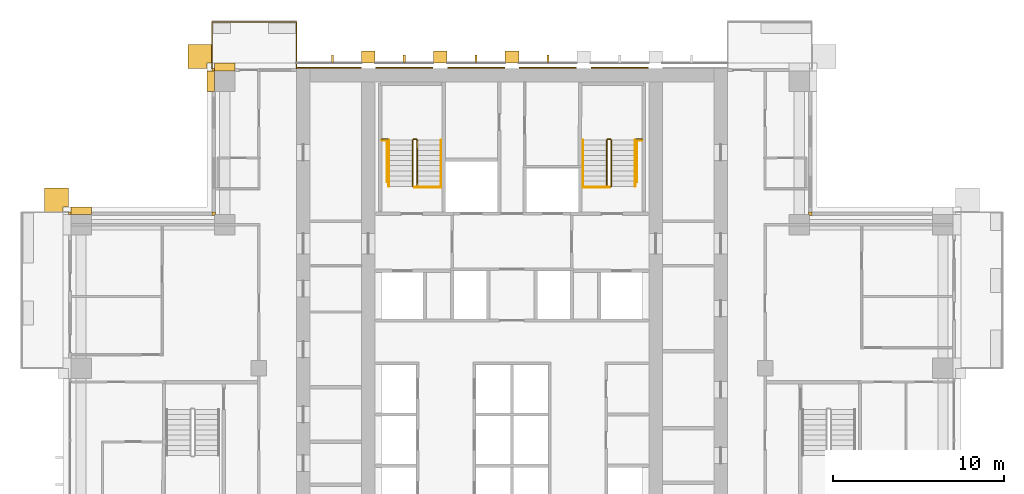
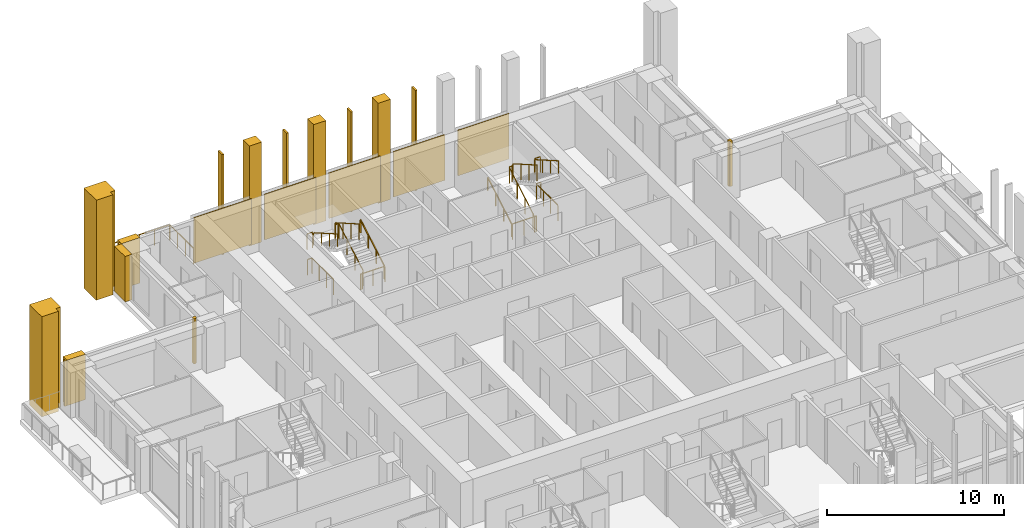
# One storey, part 16 of 17: 21 coverings, 13 railings.
"""IFC4 building model written with IfcOpenShell, lengths in metres."""

from ifc_helpers import new_model, si_unit, direction, frame, origin, origin_2d, place, context, subcontext, project, spatial, polyline, rectangle, outline, extrude, material, layer, layer_set, type_object, element, save


model = new_model("IFC4")

# Units and contexts
model_context = context("Model", 3, precision=1e-05, world=origin(), true_north=direction((0.0, 1.0)))
body_context = subcontext(model_context, "Body", "Model", "MODEL_VIEW")
ifc_project = project(units=[si_unit("LENGTHUNIT", "METRE"), si_unit("AREAUNIT", "SQUARE_METRE"), si_unit("VOLUMEUNIT", "CUBIC_METRE"), si_unit("PLANEANGLEUNIT", "RADIAN"), si_unit("MASSUNIT", "GRAM", prefix="KILO")], contexts=[model_context])

# Site, building, storey
site_placement = place(None, origin())
site = spatial("IfcSite", under=ifc_project, at=site_placement, CompositionType="ELEMENT")
building_placement = place(site_placement, origin())
building = spatial("IfcBuilding", under=site, at=building_placement, Name="Vermilion Ogive Tower", CompositionType="ELEMENT")
storey_placement = place(building_placement, frame((0.0, 0.0, 111.449951171875)))
storey = spatial("IfcBuildingStorey", under=building, at=storey_placement, Name="L28", CompositionType="ELEMENT", Elevation=111.449951171875)

# Railing
ifc_material_1 = material(Name="Stainless steel and glass", Category="steel")
railing_type_1 = type_object("IfcRailingType", Name="Balcony guard", PredefinedType="GUARDRAIL", material=ifc_material_1)
railing_1_placement = place(storey_placement, frame((-12.60009765625, 21.75, -0.0400390625)))
element("IfcRailing", 1, at=railing_1_placement, inside=storey, type_object=railing_type_1, Name="Guard N201", PredefinedType="GUARDRAIL", context=body_context, shape_type="SweptSolid", body=[
    extrude(rectangle(XDim=0.048095703125, YDim=0.048095703125, at=origin_2d()), frame((0.0, 0.0, 1.076171875), z_axis=(0.0, 1.0, 0.0), x_axis=(-1.0, 0.0, 0.0)), (0.0, 0.0, 1.0), 2.7041015625),
    extrude(rectangle(XDim=0.048095703125, YDim=0.048095703125, at=origin_2d()), frame((0.0, 2.7041015625, 1.076171875), z_axis=(-1.0, 0.0, 0.0), x_axis=(0.0, -1.0, 0.0)), (0.0, 0.0, 1.0), 4.949951171875),
    extrude(rectangle(XDim=0.048095703125, YDim=0.048095703125, at=origin_2d()), frame((-4.949951171875, 2.7041015625, 1.076171875), z_axis=(0.0, -1.0, 0.0), x_axis=(1.0, 0.0, 0.0)), (0.0, 0.0, 1.0), 2.7041015625),
    extrude(rectangle(XDim=0.0419921875, YDim=0.0419921875, at=origin_2d()), origin(), (0.0, 0.0, 1.0), 1.052001953125),
    extrude(rectangle(XDim=0.0419921875, YDim=0.0419921875, at=origin_2d()), frame((0.0, 0.9013671875, 0.0)), (0.0, 0.0, 1.0), 1.052001953125),
    extrude(rectangle(XDim=0.0419921875, YDim=0.0419921875, at=origin_2d()), frame((0.0, 1.802734375, 0.0)), (0.0, 0.0, 1.0), 1.052001953125),
    extrude(rectangle(XDim=0.0419921875, YDim=0.0419921875, at=origin_2d()), frame((0.0, 2.7041015625, 0.0)), (0.0, 0.0, 1.0), 1.052001953125),
    extrude(rectangle(XDim=0.0419921875, YDim=0.0419921875, at=origin_2d()), frame((-0.989990234375, 2.7041015625, 0.0)), (0.0, 0.0, 1.0), 1.052001953125),
    extrude(rectangle(XDim=0.0419921875, YDim=0.0419921875, at=origin_2d()), frame((-1.97998046875, 2.7041015625, 0.0)), (0.0, 0.0, 1.0), 1.052001953125),
    extrude(rectangle(XDim=0.0419921875, YDim=0.0419921875, at=origin_2d()), frame((-2.969970703125, 2.7041015625, 0.0)), (0.0, 0.0, 1.0), 1.052001953125),
    extrude(rectangle(XDim=0.0419921875, YDim=0.0419921875, at=origin_2d()), frame((-3.9599609375, 2.7041015625, 0.0)), (0.0, 0.0, 1.0), 1.052001953125),
    extrude(rectangle(XDim=0.0419921875, YDim=0.0419921875, at=origin_2d()), frame((-4.949951171875, 2.7041015625, 0.0)), (0.0, 0.0, 1.0), 1.052001953125),
    extrude(rectangle(XDim=0.0419921875, YDim=0.0419921875, at=origin_2d()), frame((-4.949951171875, 1.802734375, 0.0)), (0.0, 0.0, 1.0), 1.052001953125),
    extrude(rectangle(XDim=0.0419921875, YDim=0.0419921875, at=origin_2d()), frame((-4.949951171875, 0.9013671875, 0.0)), (0.0, 0.0, 1.0), 1.052001953125),
    extrude(rectangle(XDim=0.0419921875, YDim=0.0419921875, at=origin_2d()), frame((-4.949951171875, 0.0, 0.0)), (0.0, 0.0, 1.0), 1.052001953125),
])

# Coverings
ifc_material_2 = material(Name="Glazed ceramic screen")
ifc_layer = layer(ifc_material_2, 0.14990234375)
ifc_layer_set = layer_set([ifc_layer], Name="Ceramic solar screen fin")
covering_type_1 = type_object("IfcCoveringType", Name="Ceramic solar screen fin", PredefinedType="CLADDING", material=ifc_layer_set)
covering_1_placement = place(storey_placement, frame((0.0, 0.0, -0.320068359375)))
element("IfcCovering", 2, at=covering_1_placement, inside=storey, type_object=covering_type_1, Name="Solar screen blade N1", PredefinedType="CLADDING", context=body_context, shape_type="SweptSolid", body=[
    extrude(outline(polyline([(-10.56005859375, 22.08203125), (-10.43994140625, 22.08203125), (-10.43994140625, 22.531982421875), (-10.56005859375, 22.531982421875), (-10.56005859375, 22.08203125)])), origin(), (0.0, 0.0, 1.0), 6.900146484375),
])
covering_2_placement = place(storey_placement, frame((0.0, 0.0, -0.320068359375)))
element("IfcCovering", 3, at=covering_2_placement, inside=storey, type_object=covering_type_1, Name="Solar screen blade N2", PredefinedType="CLADDING", context=body_context, shape_type="SweptSolid", body=[
    extrude(outline(polyline([(-6.360107421875, 22.08203125), (-6.239990234375, 22.08203125), (-6.239990234375, 22.531982421875), (-6.360107421875, 22.531982421875), (-6.360107421875, 22.08203125)])), origin(), (0.0, 0.0, 1.0), 6.900146484375),
])
covering_3_placement = place(storey_placement, frame((0.0, 0.0, -0.320068359375)))
element("IfcCovering", 4, at=covering_3_placement, inside=storey, type_object=covering_type_1, Name="Solar screen blade N3", PredefinedType="CLADDING", context=body_context, shape_type="SweptSolid", body=[
    extrude(outline(polyline([(-2.159912109375, 22.08203125), (-2.0400390625, 22.08203125), (-2.0400390625, 22.531982421875), (-2.159912109375, 22.531982421875), (-2.159912109375, 22.08203125)])), origin(), (0.0, 0.0, 1.0), 6.900146484375),
])
covering_4_placement = place(storey_placement, frame((0.0, 0.0, -0.320068359375)))
element("IfcCovering", 5, at=covering_4_placement, inside=storey, type_object=covering_type_1, Name="Solar screen blade N4", PredefinedType="CLADDING", context=body_context, shape_type="SweptSolid", body=[
    extrude(outline(polyline([(2.0400390625, 22.08203125), (2.159912109375, 22.08203125), (2.159912109375, 22.531982421875), (2.0400390625, 22.531982421875), (2.0400390625, 22.08203125)])), origin(), (0.0, 0.0, 1.0), 6.900146484375),
])

# Railings
ifc_material_3 = material(Name="Steel S355 painted", Category="steel")
railing_type_2 = type_object("IfcRailingType", Name="Stair guard 1100", PredefinedType="GUARDRAIL", material=ifc_material_3)
railing_2_placement = place(storey_placement, frame((-5.75, 14.800048828125, 0.0)))
element("IfcRailing", 6, at=railing_2_placement, inside=storey, type_object=railing_type_2, Name="L28 ST1 stair guard 4", PredefinedType="GUARDRAIL", context=body_context, shape_type="SweptSolid", body=[
    extrude(rectangle(XDim=0.048095703125, YDim=0.048095703125, at=origin_2d()), frame((0.0, 0.0, 1.076171875), z_axis=(1.0, 0.0, 0.0), x_axis=(0.0, 1.0, 0.0)), (0.0, 0.0, 1.0), 0.14990234375),
    extrude(rectangle(XDim=0.048095703125, YDim=0.048095703125, at=origin_2d()), frame((0.14990234375, 0.0, 1.076171875), z_axis=(0.268277960024, 0.268277960024, 0.925231793839), x_axis=(-0.707106781187, 0.707106781187, 0.0)), (0.0, 0.0, 1.0), 0.1865234375),
    extrude(rectangle(XDim=0.048095703125, YDim=0.048095703125, at=origin_2d()), frame((0.199951171875, 0.050048828125, 1.24853515625), z_axis=(0.0, 0.866903762492, 0.498475542607), x_axis=(-1.0, 0.0, 0.0)), (0.0, 0.0, 1.0), 3.114501953125),
    extrude(rectangle(XDim=0.048095703125, YDim=0.048095703125, at=origin_2d()), frame((0.199951171875, 2.75, 2.80126953125), z_axis=(-0.707106781187, 0.707106781187, 0.0), x_axis=(-0.707106781187, -0.707106781187, 0.0)), (0.0, 0.0, 1.0), 0.07080078125),
    extrude(rectangle(XDim=0.048095703125, YDim=0.048095703125, at=origin_2d()), frame((0.14990234375, 2.800048828125, 2.80126953125), z_axis=(-1.0, 0.0, 0.0), x_axis=(0.0, -1.0, 0.0)), (0.0, 0.0, 1.0), 0.14990234375),
    extrude(rectangle(XDim=0.048095703125, YDim=0.048095703125, at=origin_2d()), frame((0.0, 2.800048828125, 2.80126953125), z_axis=(-0.268603158521, -0.268603158521, 0.925043072762), x_axis=(0.707106781187, -0.707106781187, 0.0)), (0.0, 0.0, 1.0), 0.186279296875),
    extrude(rectangle(XDim=0.048095703125, YDim=0.048095703125, at=origin_2d()), frame((-0.050048828125, 2.75, 2.9736328125), z_axis=(0.0, -0.866903762492, 0.498475542607), x_axis=(1.0, 0.0, 0.0)), (0.0, 0.0, 1.0), 3.114501953125),
    extrude(rectangle(XDim=0.0419921875, YDim=0.0419921875, at=origin_2d()), origin(), (0.0, 0.0, 1.0), 1.052001953125),
    extrude(rectangle(XDim=0.0419921875, YDim=0.0419921875, at=origin_2d()), frame((0.14990234375, 0.0, 0.0)), (0.0, 0.0, 1.0), 1.052001953125),
    extrude(rectangle(XDim=0.0419921875, YDim=0.0419921875, at=origin_2d()), frame((0.199951171875, 0.050048828125, 0.172607421875)), (0.0, 0.0, 1.0), 1.052001953125),
    extrude(rectangle(XDim=0.0419921875, YDim=0.0419921875, at=origin_2d()), frame((0.199951171875, 0.949951171875, 0.690185546875)), (0.0, 0.0, 1.0), 1.052001953125),
    extrude(rectangle(XDim=0.0419921875, YDim=0.0419921875, at=origin_2d()), frame((0.199951171875, 1.85009765625, 1.20751953125)), (0.0, 0.0, 1.0), 1.052001953125),
    extrude(rectangle(XDim=0.0419921875, YDim=0.0419921875, at=origin_2d()), frame((0.199951171875, 2.75, 1.72509765625)), (0.0, 0.0, 1.0), 1.052001953125),
    extrude(rectangle(XDim=0.0419921875, YDim=0.0419921875, at=origin_2d()), frame((0.14990234375, 2.800048828125, 1.72509765625)), (0.0, 0.0, 1.0), 1.052001953125),
    extrude(rectangle(XDim=0.0419921875, YDim=0.0419921875, at=origin_2d()), frame((0.0, 2.800048828125, 1.72509765625)), (0.0, 0.0, 1.0), 1.052001953125),
    extrude(rectangle(XDim=0.0419921875, YDim=0.0419921875, at=origin_2d()), frame((-0.050048828125, 2.75, 1.8974609375)), (0.0, 0.0, 1.0), 1.052001953125),
    extrude(rectangle(XDim=0.0419921875, YDim=0.0419921875, at=origin_2d()), frame((-0.050048828125, 1.85009765625, 2.4150390625)), (0.0, 0.0, 1.0), 1.052001953125),
    extrude(rectangle(XDim=0.0419921875, YDim=0.0419921875, at=origin_2d()), frame((-0.050048828125, 0.949951171875, 2.932373046875)), (0.0, 0.0, 1.0), 1.052001953125),
    extrude(rectangle(XDim=0.0419921875, YDim=0.0419921875, at=origin_2d()), frame((-0.050048828125, 0.050048828125, 3.449951171875)), (0.0, 0.0, 1.0), 1.052001953125),
])
railing_3_placement = place(storey_placement, frame((5.75, 14.800048828125, 0.0)))
element("IfcRailing", 7, at=railing_3_placement, inside=storey, type_object=railing_type_2, Name="L28 ST2 stair guard 4", PredefinedType="GUARDRAIL", context=body_context, shape_type="SweptSolid", body=[
    extrude(rectangle(XDim=0.048095703125, YDim=0.048095703125, at=origin_2d()), frame((0.0, 0.0, 1.076171875), z_axis=(-1.0, 0.0, 0.0), x_axis=(0.0, -1.0, 0.0)), (0.0, 0.0, 1.0), 0.14990234375),
    extrude(rectangle(XDim=0.048095703125, YDim=0.048095703125, at=origin_2d()), frame((-0.14990234375, 0.0, 1.076171875), z_axis=(-0.268277960024, 0.268277960024, 0.925231793839), x_axis=(-0.707106781187, -0.707106781187, 0.0)), (0.0, 0.0, 1.0), 0.1865234375),
    extrude(rectangle(XDim=0.048095703125, YDim=0.048095703125, at=origin_2d()), frame((-0.199951171875, 0.050048828125, 1.24853515625), z_axis=(0.0, 0.866903762492, 0.498475542607), x_axis=(-1.0, 0.0, 0.0)), (0.0, 0.0, 1.0), 3.114501953125),
    extrude(rectangle(XDim=0.048095703125, YDim=0.048095703125, at=origin_2d()), frame((-0.199951171875, 2.75, 2.80126953125), z_axis=(0.707106781187, 0.707106781187, 0.0), x_axis=(-0.707106781187, 0.707106781187, 0.0)), (0.0, 0.0, 1.0), 0.07080078125),
    extrude(rectangle(XDim=0.048095703125, YDim=0.048095703125, at=origin_2d()), frame((-0.14990234375, 2.800048828125, 2.80126953125), z_axis=(1.0, 0.0, 0.0), x_axis=(0.0, 1.0, 0.0)), (0.0, 0.0, 1.0), 0.14990234375),
    extrude(rectangle(XDim=0.048095703125, YDim=0.048095703125, at=origin_2d()), frame((0.0, 2.800048828125, 2.80126953125), z_axis=(0.268603158521, -0.268603158521, 0.925043072762), x_axis=(0.707106781187, 0.707106781187, 0.0)), (0.0, 0.0, 1.0), 0.186279296875),
    extrude(rectangle(XDim=0.048095703125, YDim=0.048095703125, at=origin_2d()), frame((0.050048828125, 2.75, 2.9736328125), z_axis=(0.0, -0.866903762492, 0.498475542607), x_axis=(1.0, 0.0, 0.0)), (0.0, 0.0, 1.0), 3.114501953125),
    extrude(rectangle(XDim=0.0419921875, YDim=0.0419921875, at=origin_2d()), origin(), (0.0, 0.0, 1.0), 1.052001953125),
    extrude(rectangle(XDim=0.0419921875, YDim=0.0419921875, at=origin_2d()), frame((-0.14990234375, 0.0, 0.0)), (0.0, 0.0, 1.0), 1.052001953125),
    extrude(rectangle(XDim=0.0419921875, YDim=0.0419921875, at=origin_2d()), frame((-0.199951171875, 0.050048828125, 0.172607421875)), (0.0, 0.0, 1.0), 1.052001953125),
    extrude(rectangle(XDim=0.0419921875, YDim=0.0419921875, at=origin_2d()), frame((-0.199951171875, 0.949951171875, 0.690185546875)), (0.0, 0.0, 1.0), 1.052001953125),
    extrude(rectangle(XDim=0.0419921875, YDim=0.0419921875, at=origin_2d()), frame((-0.199951171875, 1.85009765625, 1.20751953125)), (0.0, 0.0, 1.0), 1.052001953125),
    extrude(rectangle(XDim=0.0419921875, YDim=0.0419921875, at=origin_2d()), frame((-0.199951171875, 2.75, 1.72509765625)), (0.0, 0.0, 1.0), 1.052001953125),
    extrude(rectangle(XDim=0.0419921875, YDim=0.0419921875, at=origin_2d()), frame((-0.14990234375, 2.800048828125, 1.72509765625)), (0.0, 0.0, 1.0), 1.052001953125),
    extrude(rectangle(XDim=0.0419921875, YDim=0.0419921875, at=origin_2d()), frame((0.0, 2.800048828125, 1.72509765625)), (0.0, 0.0, 1.0), 1.052001953125),
    extrude(rectangle(XDim=0.0419921875, YDim=0.0419921875, at=origin_2d()), frame((0.050048828125, 2.75, 1.8974609375)), (0.0, 0.0, 1.0), 1.052001953125),
    extrude(rectangle(XDim=0.0419921875, YDim=0.0419921875, at=origin_2d()), frame((0.050048828125, 1.85009765625, 2.4150390625)), (0.0, 0.0, 1.0), 1.052001953125),
    extrude(rectangle(XDim=0.0419921875, YDim=0.0419921875, at=origin_2d()), frame((0.050048828125, 0.949951171875, 2.932373046875)), (0.0, 0.0, 1.0), 1.052001953125),
    extrude(rectangle(XDim=0.0419921875, YDim=0.0419921875, at=origin_2d()), frame((0.050048828125, 0.050048828125, 3.449951171875)), (0.0, 0.0, 1.0), 1.052001953125),
])
for number, where, name in (
    (8, (-7.60009765625, 17.60009765625, 1.72509765625), "L28 landing guard"),
    (9, (7.25, 17.60009765625, 1.72509765625), "L28 landing guard"),
):
    element("IfcRailing", number, at=place(storey_placement, frame(where)), inside=storey, type_object=railing_type_2, Name=name, PredefinedType="GUARDRAIL", context=body_context, shape_type="SweptSolid", body=[
        extrude(rectangle(XDim=0.048095703125, YDim=0.048095703125, at=origin_2d()), frame((0.0, 0.0, 1.076171875), z_axis=(1.0, 0.0, 0.0), x_axis=(0.0, 1.0, 0.0)), (0.0, 0.0, 1.0), 0.35009765625),
        extrude(rectangle(XDim=0.0419921875, YDim=0.0419921875, at=origin_2d()), origin(), (0.0, 0.0, 1.0), 1.052001953125),
        extrude(rectangle(XDim=0.0419921875, YDim=0.0419921875, at=origin_2d()), frame((0.35009765625, 0.0, 0.0)), (0.0, 0.0, 1.0), 1.052001953125),
    ])
railing_4_placement = place(storey_placement, frame((-4.159912109375, 14.7900390625, 0.0)))
element("IfcRailing", 10, at=railing_4_placement, inside=storey, type_object=railing_type_2, Name="L28 stair opening guard", PredefinedType="GUARDRAIL", context=body_context, shape_type="SweptSolid", body=[
    extrude(rectangle(XDim=0.048095703125, YDim=0.048095703125, at=origin_2d()), frame((0.0, 0.0, 1.076171875), z_axis=(-1.0, 0.0, 0.0), x_axis=(0.0, -1.0, 0.0)), (0.0, 0.0, 1.0), 1.5400390625),
    extrude(rectangle(XDim=0.0419921875, YDim=0.0419921875, at=origin_2d()), origin(), (0.0, 0.0, 1.0), 1.052001953125),
    extrude(rectangle(XDim=0.0419921875, YDim=0.0419921875, at=origin_2d()), frame((-0.77001953125, 0.0, 0.0)), (0.0, 0.0, 1.0), 1.052001953125),
    extrude(rectangle(XDim=0.0419921875, YDim=0.0419921875, at=origin_2d()), frame((-1.5400390625, 0.0, 0.0)), (0.0, 0.0, 1.0), 1.052001953125),
])
railing_5_placement = place(storey_placement, frame((-7.3095703125, 15.11865234375, 0.0)))
element("IfcRailing", 11, at=railing_5_placement, inside=storey, type_object=railing_type_2, Name="L28 stair opening guard", PredefinedType="GUARDRAIL", context=body_context, shape_type="SweptSolid", body=[
    extrude(rectangle(XDim=0.048095703125, YDim=0.048095703125, at=origin_2d()), frame((0.0, 0.0, 1.076171875), z_axis=(0.0, 1.0, 0.0), x_axis=(-1.0, 0.0, 0.0)), (0.0, 0.0, 1.0), 2.42431640625),
    extrude(rectangle(XDim=0.048095703125, YDim=0.048095703125, at=origin_2d()), frame((0.0, 2.42431640625, 1.076171875), z_axis=(-1.0, 0.0, 0.0), x_axis=(0.0, -1.0, 0.0)), (0.0, 0.0, 1.0), 0.2900390625),
    extrude(rectangle(XDim=0.0419921875, YDim=0.0419921875, at=origin_2d()), origin(), (0.0, 0.0, 1.0), 1.052001953125),
    extrude(rectangle(XDim=0.0419921875, YDim=0.0419921875, at=origin_2d()), frame((0.0, 0.80810546875, 0.0)), (0.0, 0.0, 1.0), 1.052001953125),
    extrude(rectangle(XDim=0.0419921875, YDim=0.0419921875, at=origin_2d()), frame((0.0, 1.6162109375, 0.0)), (0.0, 0.0, 1.0), 1.052001953125),
    extrude(rectangle(XDim=0.0419921875, YDim=0.0419921875, at=origin_2d()), frame((0.0, 2.42431640625, 0.0)), (0.0, 0.0, 1.0), 1.052001953125),
    extrude(rectangle(XDim=0.0419921875, YDim=0.0419921875, at=origin_2d()), frame((-0.2900390625, 2.42431640625, 0.0)), (0.0, 0.0, 1.0), 1.052001953125),
])
railing_6_placement = place(storey_placement, frame((7.599609375, 17.54296875, 0.0)))
element("IfcRailing", 12, at=railing_6_placement, inside=storey, type_object=railing_type_2, Name="L28 stair opening guard", PredefinedType="GUARDRAIL", context=body_context, shape_type="SweptSolid", body=[
    extrude(rectangle(XDim=0.048095703125, YDim=0.048095703125, at=origin_2d()), frame((0.0, 0.0, 1.076171875), z_axis=(-1.0, 0.0, 0.0), x_axis=(0.0, -1.0, 0.0)), (0.0, 0.0, 1.0), 0.2900390625),
    extrude(rectangle(XDim=0.048095703125, YDim=0.048095703125, at=origin_2d()), frame((-0.2900390625, 0.0, 1.076171875), z_axis=(0.0, -1.0, 0.0), x_axis=(1.0, 0.0, 0.0)), (0.0, 0.0, 1.0), 2.42431640625),
    extrude(rectangle(XDim=0.0419921875, YDim=0.0419921875, at=origin_2d()), origin(), (0.0, 0.0, 1.0), 1.052001953125),
    extrude(rectangle(XDim=0.0419921875, YDim=0.0419921875, at=origin_2d()), frame((-0.2900390625, 0.0, 0.0)), (0.0, 0.0, 1.0), 1.052001953125),
    extrude(rectangle(XDim=0.0419921875, YDim=0.0419921875, at=origin_2d()), frame((-0.2900390625, -0.80810546875, 0.0)), (0.0, 0.0, 1.0), 1.052001953125),
    extrude(rectangle(XDim=0.0419921875, YDim=0.0419921875, at=origin_2d()), frame((-0.2900390625, -1.6162109375, 0.0)), (0.0, 0.0, 1.0), 1.052001953125),
    extrude(rectangle(XDim=0.0419921875, YDim=0.0419921875, at=origin_2d()), frame((-0.2900390625, -2.42431640625, 0.0)), (0.0, 0.0, 1.0), 1.052001953125),
])
railing_7_placement = place(storey_placement, frame((5.699951171875, 14.7900390625, 0.0)))
element("IfcRailing", 13, at=railing_7_placement, inside=storey, type_object=railing_type_2, Name="L28 stair opening guard", PredefinedType="GUARDRAIL", context=body_context, shape_type="SweptSolid", body=[
    extrude(rectangle(XDim=0.048095703125, YDim=0.048095703125, at=origin_2d()), frame((0.0, 0.0, 1.076171875), z_axis=(-1.0, 0.0, 0.0), x_axis=(0.0, -1.0, 0.0)), (0.0, 0.0, 1.0), 1.5400390625),
    extrude(rectangle(XDim=0.0419921875, YDim=0.0419921875, at=origin_2d()), origin(), (0.0, 0.0, 1.0), 1.052001953125),
    extrude(rectangle(XDim=0.0419921875, YDim=0.0419921875, at=origin_2d()), frame((-0.77001953125, 0.0, 0.0)), (0.0, 0.0, 1.0), 1.052001953125),
    extrude(rectangle(XDim=0.0419921875, YDim=0.0419921875, at=origin_2d()), frame((-1.5400390625, 0.0, 0.0)), (0.0, 0.0, 1.0), 1.052001953125),
])
ifc_material_4 = material(Name="Stainless steel", Category="steel")
railing_type_3 = type_object("IfcRailingType", Name="Stair handrail 900", PredefinedType="HANDRAIL", material=ifc_material_4)
railing_8_placement = place(storey_placement, frame((-4.14990234375, 14.85009765625, 0.172607421875)))
element("IfcRailing", 14, at=railing_8_placement, inside=storey, type_object=railing_type_3, Name="L28 ST1 stair handrail 1", PredefinedType="HANDRAIL", context=body_context, shape_type="SweptSolid", body=[
    extrude(rectangle(XDim=0.048095703125, YDim=0.048095703125, at=origin_2d()), frame((0.0, 0.0, 0.8759765625), z_axis=(0.0, 0.866903762492, 0.498475542607), x_axis=(-1.0, 0.0, 0.0)), (0.0, 0.0, 1.0), 3.114501953125),
    extrude(rectangle(XDim=0.0419921875, YDim=0.0419921875, at=origin_2d()), origin(), (0.0, 0.0, 1.0), 0.851806640625),
    extrude(rectangle(XDim=0.0419921875, YDim=0.0419921875, at=origin_2d()), frame((0.0, 0.89990234375, 0.517578125)), (0.0, 0.0, 1.0), 0.851806640625),
    extrude(rectangle(XDim=0.0419921875, YDim=0.0419921875, at=origin_2d()), frame((0.0, 1.800048828125, 1.034912109375)), (0.0, 0.0, 1.0), 0.851806640625),
    extrude(rectangle(XDim=0.0419921875, YDim=0.0419921875, at=origin_2d()), frame((0.0, 2.699951171875, 1.552490234375)), (0.0, 0.0, 1.0), 0.851806640625),
])
railing_9_placement = place(storey_placement, frame((-7.199951171875, 17.550048828125, 1.8974609375)))
element("IfcRailing", 15, at=railing_9_placement, inside=storey, type_object=railing_type_3, Name="L28 ST1 stair handrail 2", PredefinedType="HANDRAIL", context=body_context, shape_type="SweptSolid", body=[
    extrude(rectangle(XDim=0.048095703125, YDim=0.048095703125, at=origin_2d()), frame((0.0, 0.0, 0.8759765625), z_axis=(0.0, -0.866903762492, 0.498475542607), x_axis=(1.0, 0.0, 0.0)), (0.0, 0.0, 1.0), 3.114501953125),
    extrude(rectangle(XDim=0.0419921875, YDim=0.0419921875, at=origin_2d()), origin(), (0.0, 0.0, 1.0), 0.851806640625),
    extrude(rectangle(XDim=0.0419921875, YDim=0.0419921875, at=origin_2d()), frame((0.0, -0.89990234375, 0.517578125)), (0.0, 0.0, 1.0), 0.851806640625),
    extrude(rectangle(XDim=0.0419921875, YDim=0.0419921875, at=origin_2d()), frame((0.0, -1.800048828125, 1.034912109375)), (0.0, 0.0, 1.0), 0.851806640625),
    extrude(rectangle(XDim=0.0419921875, YDim=0.0419921875, at=origin_2d()), frame((0.0, -2.699951171875, 1.552490234375)), (0.0, 0.0, 1.0), 0.851806640625),
])
railing_10_placement = place(storey_placement, frame((4.14990234375, 14.85009765625, 0.172607421875)))
element("IfcRailing", 16, at=railing_10_placement, inside=storey, type_object=railing_type_3, Name="L28 ST2 stair handrail 1", PredefinedType="HANDRAIL", context=body_context, shape_type="SweptSolid", body=[
    extrude(rectangle(XDim=0.048095703125, YDim=0.048095703125, at=origin_2d()), frame((0.0, 0.0, 0.8759765625), z_axis=(0.0, 0.866903762492, 0.498475542607), x_axis=(-1.0, 0.0, 0.0)), (0.0, 0.0, 1.0), 3.114501953125),
    extrude(rectangle(XDim=0.0419921875, YDim=0.0419921875, at=origin_2d()), origin(), (0.0, 0.0, 1.0), 0.851806640625),
    extrude(rectangle(XDim=0.0419921875, YDim=0.0419921875, at=origin_2d()), frame((0.0, 0.89990234375, 0.517578125)), (0.0, 0.0, 1.0), 0.851806640625),
    extrude(rectangle(XDim=0.0419921875, YDim=0.0419921875, at=origin_2d()), frame((0.0, 1.800048828125, 1.034912109375)), (0.0, 0.0, 1.0), 0.851806640625),
    extrude(rectangle(XDim=0.0419921875, YDim=0.0419921875, at=origin_2d()), frame((0.0, 2.699951171875, 1.552490234375)), (0.0, 0.0, 1.0), 0.851806640625),
])
railing_11_placement = place(storey_placement, frame((7.199951171875, 17.550048828125, 1.8974609375)))
element("IfcRailing", 17, at=railing_11_placement, inside=storey, type_object=railing_type_3, Name="L28 ST2 stair handrail 2", PredefinedType="HANDRAIL", context=body_context, shape_type="SweptSolid", body=[
    extrude(rectangle(XDim=0.048095703125, YDim=0.048095703125, at=origin_2d()), frame((0.0, 0.0, 0.8759765625), z_axis=(0.0, -0.866903762492, 0.498475542607), x_axis=(1.0, 0.0, 0.0)), (0.0, 0.0, 1.0), 3.114501953125),
    extrude(rectangle(XDim=0.0419921875, YDim=0.0419921875, at=origin_2d()), origin(), (0.0, 0.0, 1.0), 0.851806640625),
    extrude(rectangle(XDim=0.0419921875, YDim=0.0419921875, at=origin_2d()), frame((0.0, -0.89990234375, 0.517578125)), (0.0, 0.0, 1.0), 0.851806640625),
    extrude(rectangle(XDim=0.0419921875, YDim=0.0419921875, at=origin_2d()), frame((0.0, -1.800048828125, 1.034912109375)), (0.0, 0.0, 1.0), 0.851806640625),
    extrude(rectangle(XDim=0.0419921875, YDim=0.0419921875, at=origin_2d()), frame((0.0, -2.699951171875, 1.552490234375)), (0.0, 0.0, 1.0), 0.851806640625),
])

# Coverings
ifc_material_5 = material(Name="Stone cladding", Category="masonry")
covering_type_2 = type_object("IfcCoveringType", Name="Stone buttress pier", PredefinedType="CLADDING", material=ifc_material_5)
covering_5_placement = place(storey_placement, frame((0.0, 0.0, -0.320068359375)))
element("IfcCovering", 18, at=covering_5_placement, inside=storey, type_object=covering_type_2, Name="Stone buttress pier N1", PredefinedType="CLADDING", context=body_context, shape_type="SweptSolid", body=[
    extrude(outline(polyline([(-8.0, 22.75), (-8.0, 22.050048828125), (-8.800048828125, 22.050048828125), (-8.800048828125, 22.75), (-8.0, 22.75)])), origin(), (0.0, 0.0, 1.0), 6.900146484375),
])
covering_6_placement = place(storey_placement, frame((0.0, 0.0, -0.320068359375)))
element("IfcCovering", 19, at=covering_6_placement, inside=storey, type_object=covering_type_2, Name="Stone buttress pier N2", PredefinedType="CLADDING", context=body_context, shape_type="SweptSolid", body=[
    extrude(outline(polyline([(-3.800048828125, 22.75), (-3.800048828125, 22.050048828125), (-4.60009765625, 22.050048828125), (-4.60009765625, 22.75), (-3.800048828125, 22.75)])), origin(), (0.0, 0.0, 1.0), 6.900146484375),
])
covering_7_placement = place(storey_placement, frame((0.0, 0.0, -0.320068359375)))
element("IfcCovering", 20, at=covering_7_placement, inside=storey, type_object=covering_type_2, Name="Stone buttress pier N3", PredefinedType="CLADDING", context=body_context, shape_type="SweptSolid", body=[
    extrude(outline(polyline([(0.39990234375, 22.75), (0.39990234375, 22.050048828125), (-0.39990234375, 22.050048828125), (-0.39990234375, 22.75), (0.39990234375, 22.75)])), origin(), (0.0, 0.0, 1.0), 6.900146484375),
])
ifc_material_6 = material(Name="Stone cladding", Category="masonry")
covering_type_3 = type_object("IfcCoveringType", Name="Stone cladding panel", PredefinedType="CLADDING", material=ifc_material_6)
covering_8_placement = place(storey_placement, origin())
element("IfcCovering", 21, at=covering_8_placement, inside=storey, type_object=covering_type_3, Name="Stone cladding panel N1", PredefinedType="CLADDING", context=body_context, shape_type="SweptSolid", body=[
    extrude(outline(polyline([(-12.590087890625, 21.75), (-8.830078125, 21.75), (-8.830078125, 21.81005859375), (-12.590087890625, 21.81005859375), (-12.590087890625, 21.75)])), origin(), (0.0, 0.0, 1.0), 3.130126953125),
])
covering_9_placement = place(storey_placement, origin())
element("IfcCovering", 22, at=covering_9_placement, inside=storey, type_object=covering_type_3, Name="Stone cladding panel N2", PredefinedType="CLADDING", context=body_context, shape_type="SweptSolid", body=[
    extrude(outline(polyline([(-7.969970703125, 21.75), (-4.6298828125, 21.75), (-4.6298828125, 21.81005859375), (-7.969970703125, 21.81005859375), (-7.969970703125, 21.75)])), origin(), (0.0, 0.0, 1.0), 3.130126953125),
])
covering_10_placement = place(storey_placement, origin())
element("IfcCovering", 23, at=covering_10_placement, inside=storey, type_object=covering_type_3, Name="Stone cladding panel N3", PredefinedType="CLADDING", context=body_context, shape_type="SweptSolid", body=[
    extrude(outline(polyline([(-3.77001953125, 21.75), (-0.429931640625, 21.75), (-0.429931640625, 21.81005859375), (-3.77001953125, 21.81005859375), (-3.77001953125, 21.75)])), origin(), (0.0, 0.0, 1.0), 3.130126953125),
])
covering_11_placement = place(storey_placement, origin())
element("IfcCovering", 24, at=covering_11_placement, inside=storey, type_object=covering_type_3, Name="Stone cladding panel N4", PredefinedType="CLADDING", context=body_context, shape_type="SweptSolid", body=[
    extrude(outline(polyline([(0.429931640625, 21.75), (3.77001953125, 21.75), (3.77001953125, 21.81005859375), (0.429931640625, 21.81005859375), (0.429931640625, 21.75)])), origin(), (0.0, 0.0, 1.0), 3.130126953125),
])
covering_12_placement = place(storey_placement, origin())
element("IfcCovering", 25, at=covering_12_placement, inside=storey, type_object=covering_type_3, Name="Stone cladding panel N5", PredefinedType="CLADDING", context=body_context, shape_type="SweptSolid", body=[
    extrude(outline(polyline([(4.6298828125, 21.75), (7.969970703125, 21.75), (7.969970703125, 21.81005859375), (4.6298828125, 21.81005859375), (4.6298828125, 21.75)])), origin(), (0.0, 0.0, 1.0), 3.130126953125),
])
ifc_material_7 = material(Name="Stone cladding", Category="masonry")
covering_type_4 = type_object("IfcCoveringType", Name="Stone corner buttress", PredefinedType="CLADDING", material=ifc_material_7)
covering_13_placement = place(storey_placement, frame((0.0, 0.0, -0.320068359375)))
element("IfcCovering", 26, at=covering_13_placement, inside=storey, type_object=covering_type_4, Name="Stone corner buttress X51", PredefinedType="CLADDING", context=body_context, shape_type="SweptSolid", body=[
    extrude(outline(polyline([(-17.550048828125, 23.14990234375), (-17.550048828125, 22.050048828125), (-17.85009765625, 22.050048828125), (-17.85009765625, 21.75), (-18.949951171875, 21.75), (-18.949951171875, 23.14990234375), (-17.550048828125, 23.14990234375)])), origin(), (0.0, 0.0, 1.0), 6.900146484375),
])
covering_14_placement = place(storey_placement, frame((0.0, 0.0, -0.320068359375)))
element("IfcCovering", 27, at=covering_14_placement, inside=storey, type_object=covering_type_4, Name="Stone corner buttress W1", PredefinedType="CLADDING", context=body_context, shape_type="SweptSolid", body=[
    extrude(outline(polyline([(-26.25, 13.64990234375), (-26.25, 13.35009765625), (-27.35009765625, 13.35009765625), (-27.35009765625, 14.75), (-25.949951171875, 14.75), (-25.949951171875, 13.64990234375), (-26.25, 13.64990234375)])), origin(), (0.0, 0.0, 1.0), 6.900146484375),
])
ifc_material_8 = material(Name="Stone cladding", Category="masonry")
covering_type_5 = type_object("IfcCoveringType", Name="Stone pier", PredefinedType="CLADDING", material=ifc_material_8)
covering_15_placement = place(storey_placement, origin())
element("IfcCovering", 28, at=covering_15_placement, inside=storey, type_object=covering_type_5, Name="Stone corner pier X3E1", PredefinedType="CLADDING", context=body_context, shape_type="SweptSolid", body=[
    extrude(outline(polyline([(17.39990234375, 13.14990234375), (17.39990234375, 13.199951171875), (17.35009765625, 13.199951171875), (17.35009765625, 13.35009765625), (17.550048828125, 13.35009765625), (17.550048828125, 13.14990234375), (17.39990234375, 13.14990234375)])), origin(), (0.0, 0.0, 1.0), 3.130126953125),
])
covering_16_placement = place(storey_placement, origin())
element("IfcCovering", 29, at=covering_16_placement, inside=storey, type_object=covering_type_5, Name="Stone corner pier N2E1", PredefinedType="CLADDING", context=body_context, shape_type="SweptSolid", body=[
    extrude(outline(polyline([(-17.39990234375, 21.75), (-17.39990234375, 21.60009765625), (-17.39990234375, 21.60009765625), (-17.550048828125, 21.60009765625), (-17.550048828125, 21.75), (-17.39990234375, 21.75)])), origin(), (0.0, 0.0, 1.0), 3.130126953125),
])
covering_17_placement = place(storey_placement, origin())
element("IfcCovering", 30, at=covering_17_placement, inside=storey, type_object=covering_type_5, Name="Stone corner pier X5E1", PredefinedType="CLADDING", context=body_context, shape_type="SweptSolid", body=[
    extrude(outline(polyline([(-17.35009765625, 13.199951171875), (-17.39990234375, 13.199951171875), (-17.39990234375, 13.14990234375), (-17.550048828125, 13.14990234375), (-17.550048828125, 13.35009765625), (-17.35009765625, 13.35009765625), (-17.35009765625, 13.199951171875)])), origin(), (0.0, 0.0, 1.0), 3.130126953125),
])
covering_18_placement = place(storey_placement, origin())
element("IfcCovering", 31, at=covering_18_placement, inside=storey, type_object=covering_type_5, Name="Stone corner pier X6E1", PredefinedType="CLADDING", context=body_context, shape_type="SweptSolid", body=[
    extrude(outline(polyline([(-25.800048828125, 13.35009765625), (-25.800048828125, 13.199951171875), (-25.949951171875, 13.199951171875), (-25.949951171875, 13.35009765625), (-25.800048828125, 13.35009765625)])), origin(), (0.0, 0.0, 1.0), 3.130126953125),
])
covering_19_placement = place(storey_placement, origin())
element("IfcCovering", 32, at=covering_19_placement, inside=storey, type_object=covering_type_5, Name="Stone pier P-0168+210N2", PredefinedType="CLADDING", context=body_context, shape_type="SweptSolid", body=[
    extrude(outline(polyline([(-17.39990234375, 22.050048828125), (-16.199951171875, 22.050048828125), (-16.199951171875, 21.60009765625), (-17.39990234375, 21.60009765625), (-17.39990234375, 22.050048828125)])), origin(), (0.0, 0.0, 1.0), 3.130126953125),
])
covering_20_placement = place(storey_placement, origin())
element("IfcCovering", 33, at=covering_20_placement, inside=storey, type_object=covering_type_5, Name="Stone pier P-0168+210X5", PredefinedType="CLADDING", context=body_context, shape_type="SweptSolid", body=[
    extrude(outline(polyline([(-17.85009765625, 21.60009765625), (-17.39990234375, 21.60009765625), (-17.39990234375, 20.39990234375), (-17.85009765625, 20.39990234375), (-17.85009765625, 21.60009765625)])), origin(), (0.0, 0.0, 1.0), 3.130126953125),
])
covering_21_placement = place(storey_placement, origin())
element("IfcCovering", 34, at=covering_21_placement, inside=storey, type_object=covering_type_5, Name="Stone pier P-0252+126X6", PredefinedType="CLADDING", context=body_context, shape_type="SweptSolid", body=[
    extrude(outline(polyline([(-25.800048828125, 13.199951171875), (-25.800048828125, 13.64990234375), (-24.60009765625, 13.64990234375), (-24.60009765625, 13.199951171875), (-24.60009765625, 13.199951171875), (-25.800048828125, 13.199951171875)])), origin(), (0.0, 0.0, 1.0), 3.130126953125),
])

save(model, "model.ifc")
